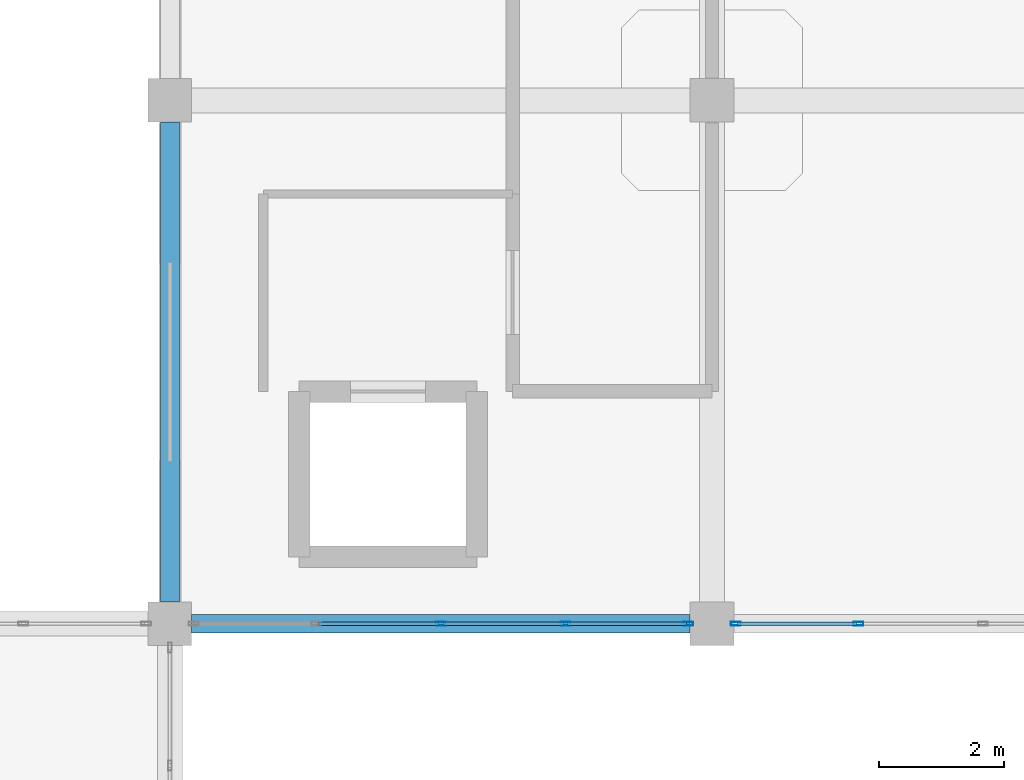
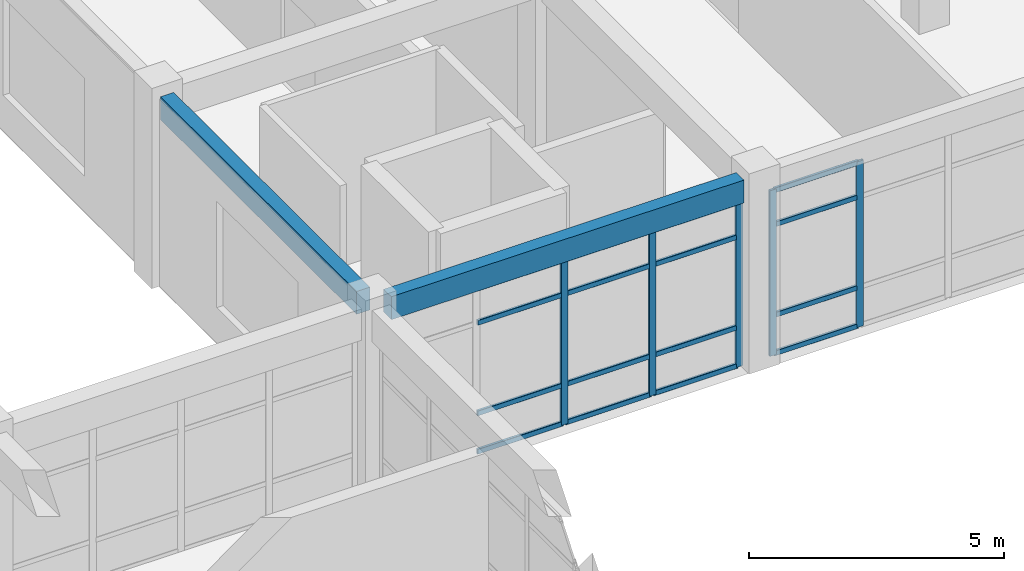
# One storey, part 40 of 64: 21 members, 2 beams, 2 elements without a shape of their own.
"""IFC4 building model written with IfcOpenShell, lengths in metres."""

from ifc_helpers import new_model, si_unit, derived_unit, direction, frame, origin, origin_2d, place, context, subcontext, project, spatial, rectangle, hollow_rectangle, extrude, material, layer, layer_set, material_profile, profile_set, type_object, element, aggregate, save


model = new_model("IFC4")

# Units and contexts
model_context = context("Model", 3, precision=1e-05, world=origin(), true_north=direction((0.0, 1.0)))
body_context = subcontext(model_context, "Body", "Model", "MODEL_VIEW")
ifc_project = project(units=[si_unit("LENGTHUNIT", "METRE"), si_unit("AREAUNIT", "SQUARE_METRE"), si_unit("VOLUMEUNIT", "CUBIC_METRE"), si_unit("PLANEANGLEUNIT", "RADIAN"), si_unit("MASSUNIT", "GRAM", prefix="KILO"), derived_unit("THERMALTRANSMITTANCEUNIT", [(si_unit("MASSUNIT", "GRAM", prefix="KILO"), 1), (si_unit("TIMEUNIT", "SECOND"), -3), (si_unit("THERMODYNAMICTEMPERATUREUNIT", "KELVIN"), -1)])], contexts=[model_context])

# Site, building, storey
site_placement = place(None, origin())
site = spatial("IfcSite", under=ifc_project, at=site_placement, CompositionType="ELEMENT")
building_placement = place(site_placement, origin())
building = spatial("IfcBuilding", under=site, at=building_placement, Name="Qinzheling Arcade Emporium", CompositionType="ELEMENT")
storey_placement = place(building_placement, frame((0.0, 0.0, 31.5)))
storey = spatial("IfcBuildingStorey", under=building, at=storey_placement, Name="L07", CompositionType="ELEMENT", Elevation=31.5)

# Curtain wall, members
ifc_material_1 = material(Name="Anodised aluminium and solar-control double glazing", Category="aluminium")
ifc_layer = layer(ifc_material_1, 0.159912109375, Name="Anodised aluminium and solar-control double glazing", Category="aluminium")
ifc_layer_set = layer_set([ifc_layer], Name="Anodised aluminium and solar-control double glazing")
curtain_wall_type = type_object("IfcCurtainWallType", Name="Arcade Portal Glazed Curtain Wall", PredefinedType="NOTDEFINED", material=ifc_layer_set)
curtain_wall_1_placement = place(storey_placement, origin())
curtain_wall_1 = element("IfcCurtainWall", 1, at=curtain_wall_1_placement, inside=storey, type_object=curtain_wall_type, Name="Curtain Wall CW-L07-441", PredefinedType="NOTDEFINED")
ifc_material_2 = material(Name="Anodised aluminium 6063-T6", Category="aluminium")
ifc_material_profile_1 = material_profile(ifc_material_2, hollow_rectangle(XDim=0.06005859375, YDim=0.159912109375, WallThickness=0.00390625, InnerFilletRadius=0.00390625, OuterFilletRadius=0.008056640625, at=origin_2d()), Name="RHS 160x60x4", Category="aluminium")
ifc_profile_set_1 = profile_set([ifc_material_profile_1], Name="Anodised aluminium 6063-T6")
member_type_1 = type_object("IfcMemberType", Name="Curtain Wall Mullion RHS160x60", PredefinedType="MULLION", material=ifc_profile_set_1)
member_1_placement = place(storey_placement, frame((115.450927734375, 73.800048828125, 0.0), z_axis=(0.0, 0.0, 1.0), x_axis=(0.0, -1.0, 0.0)))
member_1 = element("IfcMember", 2, at=member_1_placement, type_object=member_type_1, Name="CW05 mullion 4", PredefinedType="MULLION", context=body_context, shape_type="SweptSolid", body=[
    extrude(hollow_rectangle(XDim=0.06005859375, YDim=0.159912109375, WallThickness=0.00390625, InnerFilletRadius=0.00390625, OuterFilletRadius=0.008056640625, at=origin_2d()), origin(), (0.0, 0.0, 1.0), 3.969970703125),
])
member_2_placement = place(storey_placement, frame((113.48193359375, 73.800048828125, 0.0), z_axis=(0.0, 0.0, 1.0), x_axis=(0.0, -1.0, 0.0)))
member_2 = element("IfcMember", 3, at=member_2_placement, type_object=member_type_1, Name="CW05 mullion 5", PredefinedType="MULLION", context=body_context, shape_type="SweptSolid", body=[
    extrude(hollow_rectangle(XDim=0.06005859375, YDim=0.159912109375, WallThickness=0.00390625, InnerFilletRadius=0.00390625, OuterFilletRadius=0.008056640625, at=origin_2d()), origin(), (0.0, 0.0, 1.0), 3.969970703125),
])

curtain_wall_2_placement = place(storey_placement, origin())
curtain_wall_2 = element("IfcCurtainWall", 4, at=curtain_wall_2_placement, inside=storey, type_object=curtain_wall_type, Name="Curtain Wall CW-L07-442", PredefinedType="NOTDEFINED")
member_3_placement = place(storey_placement, frame((112.718017578125, 73.800048828125, 0.0), z_axis=(0.0, 0.0, 1.0), x_axis=(0.0, -1.0, 0.0)))
member_3 = element("IfcMember", 5, at=member_3_placement, type_object=member_type_1, Name="CW05 mullion 1", PredefinedType="MULLION", context=body_context, shape_type="SweptSolid", body=[
    extrude(hollow_rectangle(XDim=0.06005859375, YDim=0.159912109375, WallThickness=0.00390625, InnerFilletRadius=0.00390625, OuterFilletRadius=0.008056640625, at=origin_2d()), origin(), (0.0, 0.0, 1.0), 3.969970703125),
])
member_4_placement = place(storey_placement, frame((110.7490234375, 73.800048828125, 0.0), z_axis=(0.0, 0.0, 1.0), x_axis=(0.0, -1.0, 0.0)))
member_4 = element("IfcMember", 6, at=member_4_placement, type_object=member_type_1, Name="CW05 mullion 2", PredefinedType="MULLION", context=body_context, shape_type="SweptSolid", body=[
    extrude(hollow_rectangle(XDim=0.06005859375, YDim=0.159912109375, WallThickness=0.00390625, InnerFilletRadius=0.00390625, OuterFilletRadius=0.008056640625, at=origin_2d()), origin(), (0.0, 0.0, 1.0), 3.969970703125),
])
member_5_placement = place(storey_placement, frame((108.75, 73.800048828125, 0.0), z_axis=(0.0, 0.0, 1.0), x_axis=(0.0, -1.0, 0.0)))
member_5 = element("IfcMember", 7, at=member_5_placement, type_object=member_type_1, Name="CW05 mullion 3", PredefinedType="MULLION", context=body_context, shape_type="SweptSolid", body=[
    extrude(hollow_rectangle(XDim=0.06005859375, YDim=0.159912109375, WallThickness=0.00390625, InnerFilletRadius=0.00390625, OuterFilletRadius=0.008056640625, at=origin_2d()), origin(), (0.0, 0.0, 1.0), 3.969970703125),
])

# Member
ifc_material_profile_2 = material_profile(ifc_material_2, hollow_rectangle(XDim=0.06005859375, YDim=0.1201171875, WallThickness=0.00390625, InnerFilletRadius=0.00390625, OuterFilletRadius=0.008056640625, at=origin_2d()), Name="RHS 120x60x4", Category="aluminium")
ifc_profile_set_2 = profile_set([ifc_material_profile_2], Name="Anodised aluminium 6063-T6")
member_type_2 = type_object("IfcMemberType", Name="Curtain Wall Transom RHS120x60", PredefinedType="USERDEFINED", material=ifc_profile_set_2)
member_6_placement = place(storey_placement, frame((115.4208984375, 73.800048828125, 0.030029296875), z_axis=(-1.0, 0.0, 0.0), x_axis=(0.0, -1.0, 0.0)))
member_6 = element("IfcMember", 8, at=member_6_placement, type_object=member_type_2, Name="CW05 transom 4.1", ObjectType="TRANSOM", PredefinedType="USERDEFINED", context=body_context, shape_type="SweptSolid", body=[
    extrude(hollow_rectangle(XDim=0.06005859375, YDim=0.1201171875, WallThickness=0.00390625, InnerFilletRadius=0.00390625, OuterFilletRadius=0.008056640625, at=origin_2d()), origin(), (0.0, 0.0, 1.0), 1.908935546875),
])

member_7_placement = place(storey_placement, frame((115.4208984375, 73.800048828125, 0.949951171875), z_axis=(-1.0, 0.0, 0.0), x_axis=(0.0, -1.0, 0.0)))
member_7 = element("IfcMember", 9, at=member_7_placement, type_object=member_type_2, Name="CW05 transom 4.2", ObjectType="TRANSOM", PredefinedType="USERDEFINED", context=body_context, shape_type="SweptSolid", body=[
    extrude(hollow_rectangle(XDim=0.06005859375, YDim=0.1201171875, WallThickness=0.00390625, InnerFilletRadius=0.00390625, OuterFilletRadius=0.008056640625, at=origin_2d()), origin(), (0.0, 0.0, 1.0), 1.908935546875),
])

member_8_placement = place(storey_placement, frame((115.4208984375, 73.800048828125, 3.1201171875), z_axis=(-1.0, 0.0, 0.0), x_axis=(0.0, -1.0, 0.0)))
member_8 = element("IfcMember", 10, at=member_8_placement, type_object=member_type_2, Name="CW05 transom 4.3", ObjectType="TRANSOM", PredefinedType="USERDEFINED", context=body_context, shape_type="SweptSolid", body=[
    extrude(hollow_rectangle(XDim=0.06005859375, YDim=0.1201171875, WallThickness=0.00390625, InnerFilletRadius=0.00390625, OuterFilletRadius=0.008056640625, at=origin_2d()), origin(), (0.0, 0.0, 1.0), 1.908935546875),
])

member_9_placement = place(storey_placement, frame((115.4208984375, 73.800048828125, 3.93994140625), z_axis=(-1.0, 0.0, 0.0), x_axis=(0.0, -1.0, 0.0)))
member_9 = element("IfcMember", 11, at=member_9_placement, type_object=member_type_2, Name="CW05 transom 4.4", ObjectType="TRANSOM", PredefinedType="USERDEFINED", context=body_context, shape_type="SweptSolid", body=[
    extrude(hollow_rectangle(XDim=0.06005859375, YDim=0.1201171875, WallThickness=0.00390625, InnerFilletRadius=0.00390625, OuterFilletRadius=0.008056640625, at=origin_2d()), origin(), (0.0, 0.0, 1.0), 1.908935546875),
])

aggregate(curtain_wall_1, [member_1, member_2, member_6, member_7, member_8, member_9])

member_10_placement = place(storey_placement, frame((112.68798828125, 73.800048828125, 0.030029296875), z_axis=(-1.0, 0.0, 0.0), x_axis=(0.0, -1.0, 0.0)))
member_10 = element("IfcMember", 12, at=member_10_placement, type_object=member_type_2, Name="CW05 transom 1.1", ObjectType="TRANSOM", PredefinedType="USERDEFINED", context=body_context, shape_type="SweptSolid", body=[
    extrude(hollow_rectangle(XDim=0.06005859375, YDim=0.1201171875, WallThickness=0.00390625, InnerFilletRadius=0.00390625, OuterFilletRadius=0.008056640625, at=origin_2d()), origin(), (0.0, 0.0, 1.0), 1.908935546875),
])

member_11_placement = place(storey_placement, frame((112.68798828125, 73.800048828125, 0.949951171875), z_axis=(-1.0, 0.0, 0.0), x_axis=(0.0, -1.0, 0.0)))
member_11 = element("IfcMember", 13, at=member_11_placement, type_object=member_type_2, Name="CW05 transom 1.2", ObjectType="TRANSOM", PredefinedType="USERDEFINED", context=body_context, shape_type="SweptSolid", body=[
    extrude(hollow_rectangle(XDim=0.06005859375, YDim=0.1201171875, WallThickness=0.00390625, InnerFilletRadius=0.00390625, OuterFilletRadius=0.008056640625, at=origin_2d()), origin(), (0.0, 0.0, 1.0), 1.908935546875),
])

member_12_placement = place(storey_placement, frame((112.68798828125, 73.800048828125, 3.1201171875), z_axis=(-1.0, 0.0, 0.0), x_axis=(0.0, -1.0, 0.0)))
member_12 = element("IfcMember", 14, at=member_12_placement, type_object=member_type_2, Name="CW05 transom 1.3", ObjectType="TRANSOM", PredefinedType="USERDEFINED", context=body_context, shape_type="SweptSolid", body=[
    extrude(hollow_rectangle(XDim=0.06005859375, YDim=0.1201171875, WallThickness=0.00390625, InnerFilletRadius=0.00390625, OuterFilletRadius=0.008056640625, at=origin_2d()), origin(), (0.0, 0.0, 1.0), 1.908935546875),
])

member_13_placement = place(storey_placement, frame((112.68798828125, 73.800048828125, 3.93994140625), z_axis=(-1.0, 0.0, 0.0), x_axis=(0.0, -1.0, 0.0)))
member_13 = element("IfcMember", 15, at=member_13_placement, type_object=member_type_2, Name="CW05 transom 1.4", ObjectType="TRANSOM", PredefinedType="USERDEFINED", context=body_context, shape_type="SweptSolid", body=[
    extrude(hollow_rectangle(XDim=0.06005859375, YDim=0.1201171875, WallThickness=0.00390625, InnerFilletRadius=0.00390625, OuterFilletRadius=0.008056640625, at=origin_2d()), origin(), (0.0, 0.0, 1.0), 1.908935546875),
])

member_14_placement = place(storey_placement, frame((110.718994140625, 73.800048828125, 0.030029296875), z_axis=(-1.0, 0.0, 0.0), x_axis=(0.0, -1.0, 0.0)))
member_14 = element("IfcMember", 16, at=member_14_placement, type_object=member_type_2, Name="CW05 transom 2.1", ObjectType="TRANSOM", PredefinedType="USERDEFINED", context=body_context, shape_type="SweptSolid", body=[
    extrude(hollow_rectangle(XDim=0.06005859375, YDim=0.1201171875, WallThickness=0.00390625, InnerFilletRadius=0.00390625, OuterFilletRadius=0.008056640625, at=origin_2d()), origin(), (0.0, 0.0, 1.0), 1.93896484375),
])

member_15_placement = place(storey_placement, frame((110.718994140625, 73.800048828125, 0.949951171875), z_axis=(-1.0, 0.0, 0.0), x_axis=(0.0, -1.0, 0.0)))
member_15 = element("IfcMember", 17, at=member_15_placement, type_object=member_type_2, Name="CW05 transom 2.2", ObjectType="TRANSOM", PredefinedType="USERDEFINED", context=body_context, shape_type="SweptSolid", body=[
    extrude(hollow_rectangle(XDim=0.06005859375, YDim=0.1201171875, WallThickness=0.00390625, InnerFilletRadius=0.00390625, OuterFilletRadius=0.008056640625, at=origin_2d()), origin(), (0.0, 0.0, 1.0), 1.93896484375),
])

member_16_placement = place(storey_placement, frame((110.718994140625, 73.800048828125, 3.1201171875), z_axis=(-1.0, 0.0, 0.0), x_axis=(0.0, -1.0, 0.0)))
member_16 = element("IfcMember", 18, at=member_16_placement, type_object=member_type_2, Name="CW05 transom 2.3", ObjectType="TRANSOM", PredefinedType="USERDEFINED", context=body_context, shape_type="SweptSolid", body=[
    extrude(hollow_rectangle(XDim=0.06005859375, YDim=0.1201171875, WallThickness=0.00390625, InnerFilletRadius=0.00390625, OuterFilletRadius=0.008056640625, at=origin_2d()), origin(), (0.0, 0.0, 1.0), 1.93896484375),
])

member_17_placement = place(storey_placement, frame((110.718994140625, 73.800048828125, 3.93994140625), z_axis=(-1.0, 0.0, 0.0), x_axis=(0.0, -1.0, 0.0)))
member_17 = element("IfcMember", 19, at=member_17_placement, type_object=member_type_2, Name="CW05 transom 2.4", ObjectType="TRANSOM", PredefinedType="USERDEFINED", context=body_context, shape_type="SweptSolid", body=[
    extrude(hollow_rectangle(XDim=0.06005859375, YDim=0.1201171875, WallThickness=0.00390625, InnerFilletRadius=0.00390625, OuterFilletRadius=0.008056640625, at=origin_2d()), origin(), (0.0, 0.0, 1.0), 1.93896484375),
])

member_18_placement = place(storey_placement, frame((108.719970703125, 73.800048828125, 0.030029296875), z_axis=(-1.0, 0.0, 0.0), x_axis=(0.0, -1.0, 0.0)))
member_18 = element("IfcMember", 20, at=member_18_placement, type_object=member_type_2, Name="CW05 transom 3.1", ObjectType="TRANSOM", PredefinedType="USERDEFINED", context=body_context, shape_type="SweptSolid", body=[
    extrude(hollow_rectangle(XDim=0.06005859375, YDim=0.1201171875, WallThickness=0.00390625, InnerFilletRadius=0.00390625, OuterFilletRadius=0.008056640625, at=origin_2d()), origin(), (0.0, 0.0, 1.0), 1.93896484375),
])

member_19_placement = place(storey_placement, frame((108.719970703125, 73.800048828125, 0.949951171875), z_axis=(-1.0, 0.0, 0.0), x_axis=(0.0, -1.0, 0.0)))
member_19 = element("IfcMember", 21, at=member_19_placement, type_object=member_type_2, Name="CW05 transom 3.2", ObjectType="TRANSOM", PredefinedType="USERDEFINED", context=body_context, shape_type="SweptSolid", body=[
    extrude(hollow_rectangle(XDim=0.06005859375, YDim=0.1201171875, WallThickness=0.00390625, InnerFilletRadius=0.00390625, OuterFilletRadius=0.008056640625, at=origin_2d()), origin(), (0.0, 0.0, 1.0), 1.93896484375),
])

member_20_placement = place(storey_placement, frame((108.719970703125, 73.800048828125, 3.1201171875), z_axis=(-1.0, 0.0, 0.0), x_axis=(0.0, -1.0, 0.0)))
member_20 = element("IfcMember", 22, at=member_20_placement, type_object=member_type_2, Name="CW05 transom 3.3", ObjectType="TRANSOM", PredefinedType="USERDEFINED", context=body_context, shape_type="SweptSolid", body=[
    extrude(hollow_rectangle(XDim=0.06005859375, YDim=0.1201171875, WallThickness=0.00390625, InnerFilletRadius=0.00390625, OuterFilletRadius=0.008056640625, at=origin_2d()), origin(), (0.0, 0.0, 1.0), 1.93896484375),
])

member_21_placement = place(storey_placement, frame((108.719970703125, 73.800048828125, 3.93994140625), z_axis=(-1.0, 0.0, 0.0), x_axis=(0.0, -1.0, 0.0)))
member_21 = element("IfcMember", 23, at=member_21_placement, type_object=member_type_2, Name="CW05 transom 3.4", ObjectType="TRANSOM", PredefinedType="USERDEFINED", context=body_context, shape_type="SweptSolid", body=[
    extrude(hollow_rectangle(XDim=0.06005859375, YDim=0.1201171875, WallThickness=0.00390625, InnerFilletRadius=0.00390625, OuterFilletRadius=0.008056640625, at=origin_2d()), origin(), (0.0, 0.0, 1.0), 1.93896484375),
])

aggregate(curtain_wall_2, [member_3, member_4, member_5, member_10, member_11, member_12, member_13, member_14, member_15, member_16, member_17, member_18, member_19, member_20, member_21])

# Beams
ifc_material_3 = material(Name="Concrete C40", Category="concrete")
ifc_material_profile_3 = material_profile(ifc_material_3, rectangle(XDim=0.300048828125, YDim=0.550048828125, at=origin_2d()), Name="RC 300x550", Category="concrete")
ifc_profile_set_3 = profile_set([ifc_material_profile_3], Name="Concrete C40")
beam_type = type_object("IfcBeamType", Name="RC Terrace Spandrel Beam 300x550 C40", PredefinedType="SPANDREL", material=ifc_profile_set_3)
beam_1_placement = place(storey_placement, frame((104.75, 73.800048828125, 4.260009765625), z_axis=(1.0, 0.0, 0.0), x_axis=(0.0, 1.0, 0.0)))
element("IfcBeam", 24, at=beam_1_placement, inside=storey, type_object=beam_type, Name="Beam BM-L07-X-J-13", PredefinedType="SPANDREL", context=body_context, shape_type="SweptSolid", body=[
    extrude(rectangle(XDim=0.300048828125, YDim=0.550048828125, at=origin_2d()), origin(), (0.0, 0.0, 1.0), 8.0),
])
beam_2_placement = place(storey_placement, frame((104.39990234375, 74.14990234375, 4.260009765625), z_axis=(0.0, 1.0, 0.0), x_axis=(-1.0, 0.0, 0.0)))
element("IfcBeam", 25, at=beam_2_placement, inside=storey, type_object=beam_type, Name="Beam BM-L07-Y-13-J", PredefinedType="SPANDREL", context=body_context, shape_type="SweptSolid", body=[
    extrude(rectangle(XDim=0.300048828125, YDim=0.550048828125, at=origin_2d()), origin(), (0.0, 0.0, 1.0), 7.7001953125),
])

save(model, "model.ifc")
